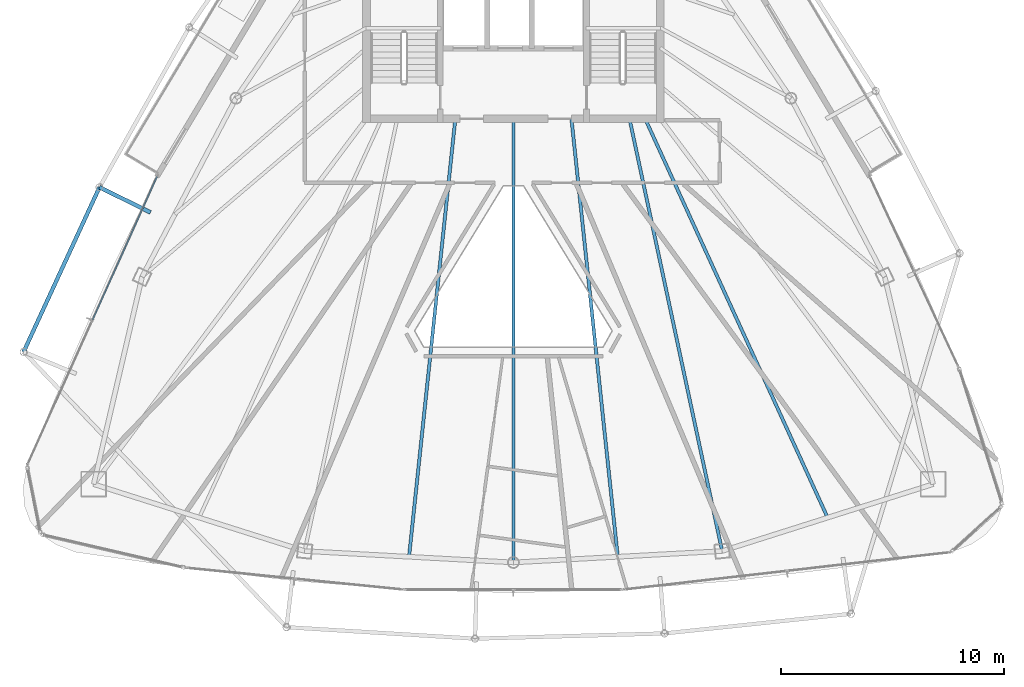
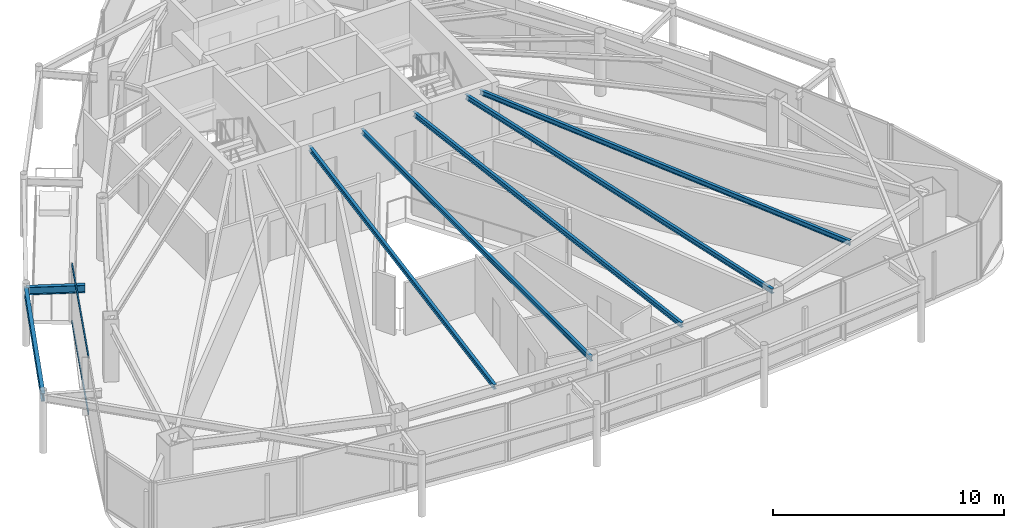
# One storey, part 9 of 28: 7 beams, 2 members, 1 element without a shape of its own.
"""IFC4 building model written with IfcOpenShell, lengths in metres."""

from ifc_helpers import new_model, si_unit, direction, frame, origin, origin_2d, place, context, subcontext, project, spatial, hollow_rectangle, i_section, extrude, material, layer, layer_set, material_profile, profile_set, type_object, element, aggregate, save


model = new_model("IFC4")

# Units and contexts
model_context = context("Model", 3, precision=1e-05, world=origin(), true_north=direction((0.0, 1.0)))
body_context = subcontext(model_context, "Body", "Model", "MODEL_VIEW")
ifc_project = project(units=[si_unit("LENGTHUNIT", "METRE"), si_unit("AREAUNIT", "SQUARE_METRE"), si_unit("VOLUMEUNIT", "CUBIC_METRE"), si_unit("PLANEANGLEUNIT", "RADIAN"), si_unit("MASSUNIT", "GRAM", prefix="KILO")], contexts=[model_context])

# Site, building, storey
site_placement = place(None, origin())
site = spatial("IfcSite", under=ifc_project, at=site_placement, CompositionType="ELEMENT")
building_placement = place(site_placement, origin())
building = spatial("IfcBuilding", under=site, at=building_placement, Name="Orvanel Arch Residences", CompositionType="ELEMENT")
storey_placement = place(building_placement, frame((0.0, 0.0, 260.14990234375)))
storey = spatial("IfcBuildingStorey", under=building, at=storey_placement, Name="L74", CompositionType="ELEMENT", Elevation=260.14990234375)

# Beams
ifc_material_1 = material(Name="Structural steel AS/NZS 3679.1 Grade 300 (300 MPa)", Category="steel")
ifc_material_profile_1 = material_profile(ifc_material_1, i_section(OverallWidth=0.14599609375, OverallDepth=0.251953125, WebThickness=0.006103515625, FlangeThickness=0.008544921875, at=origin_2d()), Name="250UB31.4")
ifc_profile_set_1 = profile_set([ifc_material_profile_1], Name="Structural steel AS/NZS 3679.1 Grade 300 (300 MPa)")
beam_type_1 = type_object("IfcBeamType", Name="BJ-250UB", PredefinedType="JOIST", material=ifc_profile_set_1)
beam_1_placement = place(storey_placement, frame((38.199951171875, 26.72509765625, 2.93408203125), z_axis=(0.209547604985, -0.977798446125, 0.0), x_axis=(0.977798446125, 0.209547604985, 0.0)))
element("IfcBeam", 1, at=beam_1_placement, inside=storey, type_object=beam_type_1, Name="L74 SE Wing Floor Joist", PredefinedType="JOIST", context=body_context, shape_type="SweptSolid", body=[
    extrude(i_section(OverallWidth=0.14599609375, OverallDepth=0.251953125, WebThickness=0.006103515625, FlangeThickness=0.008544921875, at=origin_2d()), origin(), (0.0, 0.0, 1.0), 19.809814453125),
])
beam_2_placement = place(storey_placement, frame((33.0, 26.72509765625, 2.93408203125), z_axis=(0.0, -1.0, 0.0), x_axis=(1.0, 0.0, 0.0)))
element("IfcBeam", 2, at=beam_2_placement, inside=storey, type_object=beam_type_1, Name="L74 SSW Wing Floor Joist", PredefinedType="JOIST", context=body_context, shape_type="SweptSolid", body=[
    extrude(i_section(OverallWidth=0.14599609375, OverallDepth=0.251953125, WebThickness=0.006103515625, FlangeThickness=0.008544921875, at=origin_2d()), origin(), (0.0, 0.0, 1.0), 19.881103515625),
])
for number, where, z_axis, x_axis, name in (
    (3, (30.39990234375, 26.72509765625, 2.93408203125), (-0.105143936131, -0.994457014, 0.0), (0.994457014, -0.105143936131, 0.0), "L74 WSW2 Wing Floor Joist"),
    (4, (35.60009765625, 26.72509765625, 2.93408203125), (0.105143936131, -0.994457014, 0.0), (0.994457014, 0.105143936131, 0.0), "L74 ESE2 Wing Floor Joist"),
):
    element("IfcBeam", number, at=place(storey_placement, frame(where, z_axis=z_axis, x_axis=x_axis)), inside=storey, type_object=beam_type_1, Name=name, PredefinedType="JOIST", context=body_context, shape_type="SweptSolid", body=[
        extrude(i_section(OverallWidth=0.14599609375, OverallDepth=0.251953125, WebThickness=0.006103515625, FlangeThickness=0.008544921875, at=origin_2d()), origin(), (0.0, 0.0, 1.0), 19.734375),
    ])
beam_3_placement = place(storey_placement, frame((38.89990234375, 26.72509765625, 2.93408203125), z_axis=(0.416009574066, -0.909360233508, 0.0), x_axis=(0.909360233508, 0.416009574066, 0.0)))
element("IfcBeam", 5, at=beam_3_placement, inside=storey, type_object=beam_type_1, Name="L74 JADD2 Wing Floor Joist", PredefinedType="JOIST", context=body_context, shape_type="SweptSolid", body=[
    extrude(i_section(OverallWidth=0.14599609375, OverallDepth=0.251953125, WebThickness=0.006103515625, FlangeThickness=0.008544921875, at=origin_2d()), origin(), (0.0, 0.0, 1.0), 19.653564453125),
])
ifc_material_profile_2 = material_profile(ifc_material_1, i_section(OverallWidth=0.177978515625, OverallDepth=0.406005859375, WebThickness=0.0078125, FlangeThickness=0.0126953125, at=origin_2d()), Name="410UB59.7")
ifc_profile_set_2 = profile_set([ifc_material_profile_2], Name="Structural steel AS/NZS 3679.1 Grade 300 (300 MPa)")
beam_type_2 = type_object("IfcBeamType", Name="OB-410UB-EXT", PredefinedType="SPANDREL", material=ifc_profile_set_2)
beam_4_placement = place(storey_placement, frame((16.7451171875, 22.52490234375, 2.857177734375), z_axis=(-0.897243036385, 0.441537012784, 0.0), x_axis=(-0.441537012784, -0.897243036385, 0.0)))
element("IfcBeam", 6, at=beam_4_placement, inside=storey, type_object=beam_type_2, Name="L74 Outer Frame Radial Tie Beam 03", PredefinedType="SPANDREL", context=body_context, shape_type="SweptSolid", body=[
    extrude(i_section(OverallWidth=0.177978515625, OverallDepth=0.406005859375, WebThickness=0.0078125, FlangeThickness=0.0126953125, at=origin_2d()), origin(), (0.0, 0.0, 1.0), 2.550048828125),
])
beam_5_placement = place(storey_placement, frame((14.45703125, 23.65087890625, 2.857177734375), z_axis=(-0.418516546595, -0.908209172067, 0.0), x_axis=(0.908209172067, -0.418516546595, 0.0)))
element("IfcBeam", 7, at=beam_5_placement, inside=storey, type_object=beam_type_2, Name="L74 Outer Perimeter Floor Ring Beam 03", PredefinedType="SPANDREL", context=body_context, shape_type="SweptSolid", body=[
    extrude(i_section(OverallWidth=0.177978515625, OverallDepth=0.406005859375, WebThickness=0.0078125, FlangeThickness=0.0126953125, at=origin_2d()), origin(), (0.0, 0.0, 1.0), 8.119140625),
])

# Curtain wall, members
ifc_material_2 = material(Name="Bronze-anodised aluminium AA6063-T6", Category="aluminium")
ifc_layer = layer(ifc_material_2, 0.175048828125)
ifc_layer_set = layer_set([ifc_layer], Name="Bronze-anodised aluminium AA6063-T6")
curtain_wall_type = type_object("IfcCurtainWallType", Name="CW4-HI-SYS", PredefinedType="NOTDEFINED", material=ifc_layer_set)
curtain_wall_placement = place(storey_placement, origin())
curtain_wall = element("IfcCurtainWall", 8, at=curtain_wall_placement, inside=storey, type_object=curtain_wall_type, Name="L74 CW4-HI-SYS Unitised Curtain Wall", PredefinedType="NOTDEFINED")
ifc_material_profile_3 = material_profile(ifc_material_2, hollow_rectangle(XDim=0.06005859375, YDim=0.1201171875, WallThickness=0.00341796875, at=origin_2d()), Name="ALU120x60x3.5")
ifc_profile_set_3 = profile_set([ifc_material_profile_3], Name="Bronze-anodised aluminium AA6063-T6")
member_type = type_object("IfcMemberType", Name="TRN-120x60", PredefinedType="USERDEFINED", material=ifc_profile_set_3)
member_1_placement = place(storey_placement, frame((17.035400390625, 24.128662109375, 0.030029296875), z_axis=(-0.410081649898, -0.912048814712, 0.0), x_axis=(0.912048814712, -0.410081649898, 0.0)))
member_1 = element("IfcMember", 9, at=member_1_placement, type_object=member_type, Name="CW-S4 transom 1.1", ObjectType="TRANSOM", PredefinedType="USERDEFINED", context=body_context, shape_type="SweptSolid", body=[
    extrude(hollow_rectangle(XDim=0.06005859375, YDim=0.1201171875, WallThickness=0.00341796875, at=origin_2d()), origin(), (0.0, 0.0, 1.0), 7.030517578125),
])
member_2_placement = place(storey_placement, frame((17.035400390625, 24.128662109375, 3.030029296875), z_axis=(-0.410081649898, -0.912048814712, 0.0), x_axis=(0.912048814712, -0.410081649898, 0.0)))
member_2 = element("IfcMember", 10, at=member_2_placement, type_object=member_type, Name="CW-S4 transom 1.2", ObjectType="TRANSOM", PredefinedType="USERDEFINED", context=body_context, shape_type="SweptSolid", body=[
    extrude(hollow_rectangle(XDim=0.06005859375, YDim=0.1201171875, WallThickness=0.00341796875, at=origin_2d()), origin(), (0.0, 0.0, 1.0), 7.030517578125),
])
aggregate(curtain_wall, [member_1, member_2])

save(model, "model.ifc")
